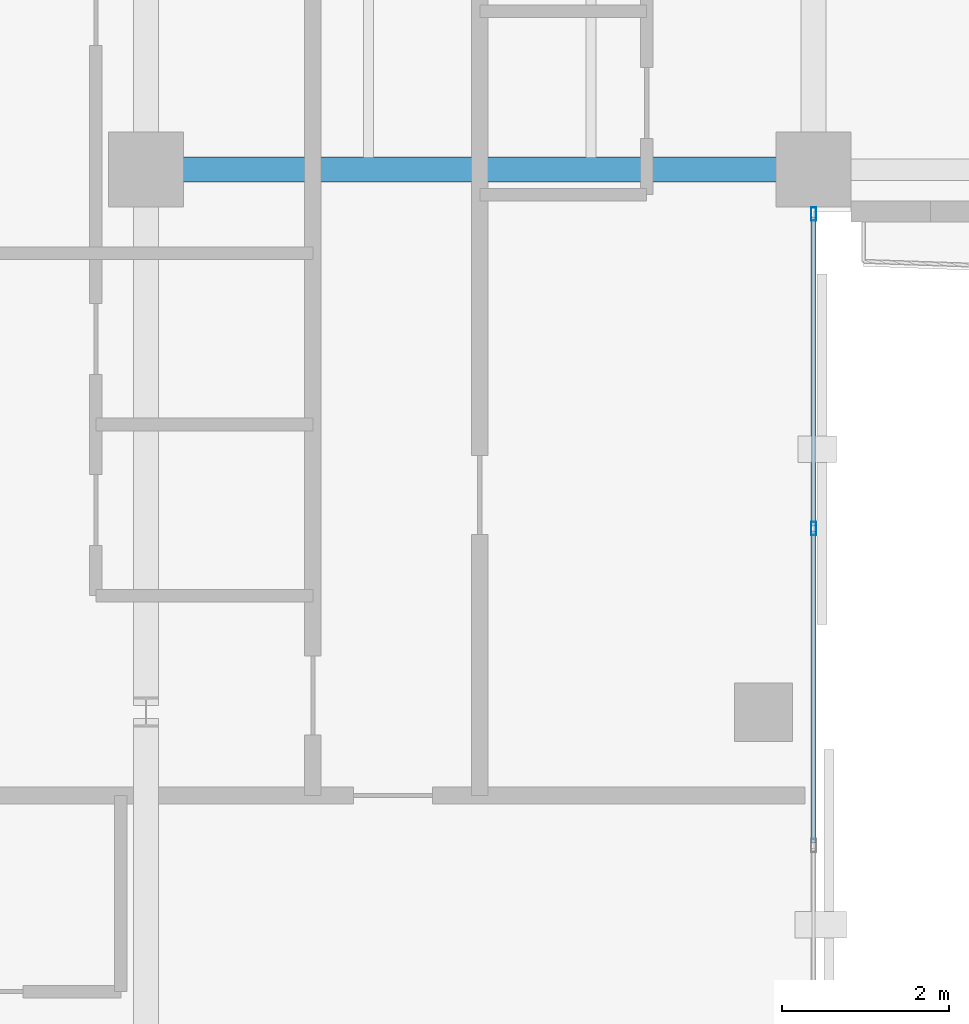
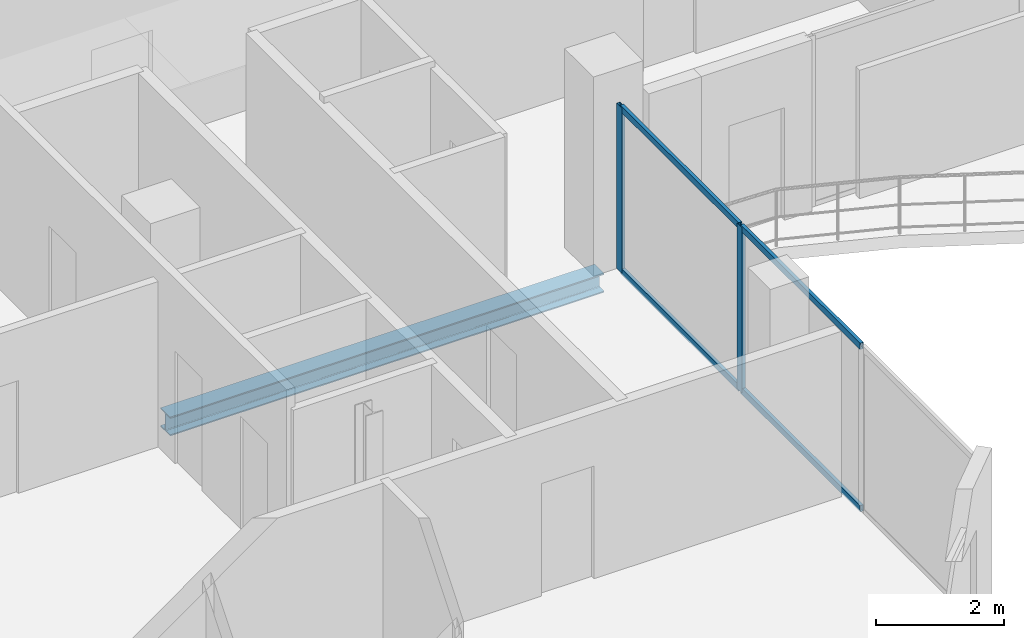
# One storey, part 5 of 18: 6 members, 1 beam, 1 element without a shape of its own.
"""IFC4 building model written with IfcOpenShell, lengths in metres."""

from ifc_helpers import new_model, si_unit, direction, frame, origin, origin_2d, place, context, subcontext, project, spatial, hollow_rectangle, i_section, extrude, material, layer, layer_set, material_profile, profile_set, type_object, element, aggregate, save


model = new_model("IFC4")

# Units and contexts
model_context = context("Model", 3, precision=1e-05, world=origin(), true_north=direction((0.0, 1.0)))
body_context = subcontext(model_context, "Body", "Model", "MODEL_VIEW")
ifc_project = project(units=[si_unit("LENGTHUNIT", "METRE"), si_unit("AREAUNIT", "SQUARE_METRE"), si_unit("VOLUMEUNIT", "CUBIC_METRE"), si_unit("PLANEANGLEUNIT", "RADIAN"), si_unit("MASSUNIT", "GRAM", prefix="KILO")], contexts=[model_context])

# Site, building, storey
site_placement = place(None, origin())
site = spatial("IfcSite", under=ifc_project, at=site_placement, CompositionType="ELEMENT")
building_placement = place(site_placement, origin())
building = spatial("IfcBuilding", under=site, at=building_placement, Name="Catumbela Crestline Tower", CompositionType="ELEMENT")
storey_placement = place(building_placement, frame((0.0, 0.0, 264.0)))
storey = spatial("IfcBuildingStorey", under=building, at=storey_placement, Name="L68", CompositionType="ELEMENT", Elevation=264.0)

# Beam
ifc_material_1 = material(Name="Structural steel S355J2", Category="steel")
ifc_material_profile_1 = material_profile(ifc_material_1, i_section(OverallWidth=0.3, OverallDepth=0.36, WebThickness=0.0125, FlangeThickness=0.0225, FilletRadius=0.027, at=origin_2d()), Name="HEB 360")
ifc_profile_set_1 = profile_set([ifc_material_profile_1], Name="Structural steel S355J2")
beam_type = type_object("IfcBeamType", Name="BG-HEB360", PredefinedType="BEAM", material=ifc_profile_set_1)
beam_placement = place(storey_placement, frame((16.08, 24.5, -0.44), z_axis=(1.0, 0.0, 0.0), x_axis=(0.0, 1.0, 0.0)))
element("IfcBeam", 1, at=beam_placement, inside=storey, type_object=beam_type, Name="L68 Beam BM-L68-S01", PredefinedType="BEAM", context=body_context, shape_type="SweptSolid", body=[
    extrude(i_section(OverallWidth=0.3, OverallDepth=0.36, WebThickness=0.0125, FlangeThickness=0.0225, FilletRadius=0.027, at=origin_2d()), origin(), (0.0, 0.0, 1.0), 7.84),
])

# Curtain wall, members
ifc_material_2 = material(Name="Aluminium alloy AW-6060-T66", Category="aluminium")
ifc_layer = layer(ifc_material_2, 0.18, Name="Aluminium alloy AW-6060-T66")
ifc_layer_set = layer_set([ifc_layer], Name="Aluminium alloy AW-6060-T66")
curtain_wall_type = type_object("IfcCurtainWallType", Name="CWU-Z4", PredefinedType="USERDEFINED", material=ifc_layer_set)
curtain_wall_placement = place(storey_placement, origin())
curtain_wall = element("IfcCurtainWall", 2, at=curtain_wall_placement, inside=storey, type_object=curtain_wall_type, Name="L68 Unitised Curtain Wall CW-L68-E2S1", ObjectType="UNITISED", PredefinedType="USERDEFINED")
ifc_material_profile_2 = material_profile(ifc_material_2, hollow_rectangle(XDim=0.06, YDim=0.16, WallThickness=0.004, at=origin_2d()), Name="ALU 160x60x4")
ifc_profile_set_2 = profile_set([ifc_material_profile_2], Name="Aluminium alloy AW-6060-T66")
member_type_1 = type_object("IfcMemberType", Name="MUL-160X60", PredefinedType="MULLION", material=ifc_profile_set_2)
member_1_placement = place(storey_placement, frame((24.0, 20.2, 0.0), z_axis=(0.0, 0.0, 1.0), x_axis=(-1.0, 0.0, 0.0)))
member_1 = element("IfcMember", 3, at=member_1_placement, type_object=member_type_1, Name="CWU-Z4 mullion 3", PredefinedType="MULLION", context=body_context, shape_type="SweptSolid", body=[
    extrude(hollow_rectangle(XDim=0.06, YDim=0.16, WallThickness=0.004, at=origin_2d()), origin(), (0.0, 0.0, 1.0), 3.16),
])
member_2_placement = place(storey_placement, frame((24.0, 23.9675, 0.0), z_axis=(0.0, 0.0, 1.0), x_axis=(-1.0, 0.0, 0.0)))
member_2 = element("IfcMember", 4, at=member_2_placement, type_object=member_type_1, Name="CWU-Z4 mullion 4", PredefinedType="MULLION", context=body_context, shape_type="SweptSolid", body=[
    extrude(hollow_rectangle(XDim=0.06, YDim=0.16, WallThickness=0.004, at=origin_2d()), origin(), (0.0, 0.0, 1.0), 3.16),
])
ifc_material_profile_3 = material_profile(ifc_material_2, hollow_rectangle(XDim=0.06, YDim=0.12, WallThickness=0.0035, at=origin_2d()), Name="ALU 120x60x3.5")
ifc_profile_set_3 = profile_set([ifc_material_profile_3], Name="Aluminium alloy AW-6060-T66")
member_type_2 = type_object("IfcMemberType", Name="TRN-120X60", PredefinedType="USERDEFINED", material=ifc_profile_set_3)
member_3_placement = place(storey_placement, frame((24.0, 16.4325, 0.03), z_axis=(0.0, 1.0, 0.0), x_axis=(-1.0, 0.0, 0.0)))
member_3 = element("IfcMember", 5, at=member_3_placement, type_object=member_type_2, Name="CWU-Z4 transom 2.1", ObjectType="TRANSOM", PredefinedType="USERDEFINED", context=body_context, shape_type="SweptSolid", body=[
    extrude(hollow_rectangle(XDim=0.06, YDim=0.12, WallThickness=0.0035, at=origin_2d()), origin(), (0.0, 0.0, 1.0), 3.735),
])
member_4_placement = place(storey_placement, frame((24.0, 16.4325, 3.13), z_axis=(0.0, 1.0, 0.0), x_axis=(-1.0, 0.0, 0.0)))
member_4 = element("IfcMember", 6, at=member_4_placement, type_object=member_type_2, Name="CWU-Z4 transom 2.2", ObjectType="TRANSOM", PredefinedType="USERDEFINED", context=body_context, shape_type="SweptSolid", body=[
    extrude(hollow_rectangle(XDim=0.06, YDim=0.12, WallThickness=0.0035, at=origin_2d()), origin(), (0.0, 0.0, 1.0), 3.735),
])
member_5_placement = place(storey_placement, frame((24.0, 20.2325, 0.03), z_axis=(0.0, 1.0, 0.0), x_axis=(-1.0, 0.0, 0.0)))
member_5 = element("IfcMember", 7, at=member_5_placement, type_object=member_type_2, Name="CWU-Z4 transom 3.1", ObjectType="TRANSOM", PredefinedType="USERDEFINED", context=body_context, shape_type="SweptSolid", body=[
    extrude(hollow_rectangle(XDim=0.06, YDim=0.12, WallThickness=0.0035, at=origin_2d()), origin(), (0.0, 0.0, 1.0), 3.7025),
])
member_6_placement = place(storey_placement, frame((24.0, 20.2325, 3.13), z_axis=(0.0, 1.0, 0.0), x_axis=(-1.0, 0.0, 0.0)))
member_6 = element("IfcMember", 8, at=member_6_placement, type_object=member_type_2, Name="CWU-Z4 transom 3.2", ObjectType="TRANSOM", PredefinedType="USERDEFINED", context=body_context, shape_type="SweptSolid", body=[
    extrude(hollow_rectangle(XDim=0.06, YDim=0.12, WallThickness=0.0035, at=origin_2d()), origin(), (0.0, 0.0, 1.0), 3.7025),
])
aggregate(curtain_wall, [member_1, member_2, member_3, member_4, member_5, member_6])

save(model, "model.ifc")
